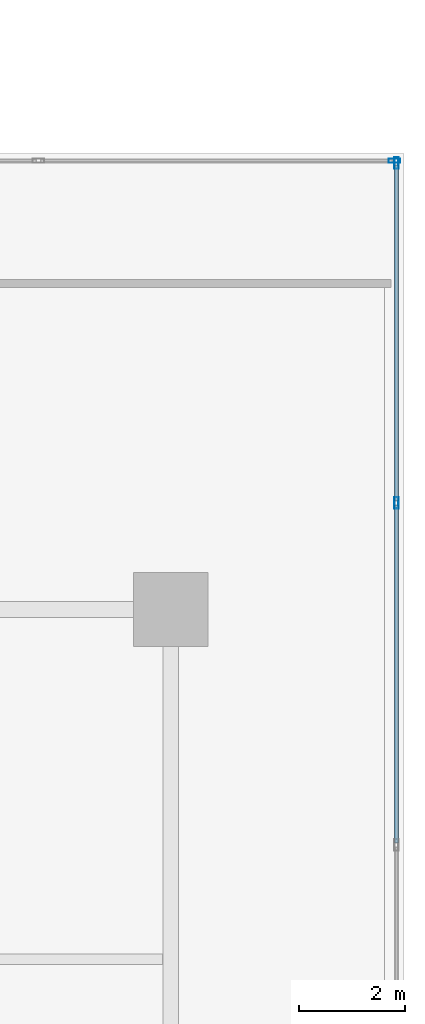
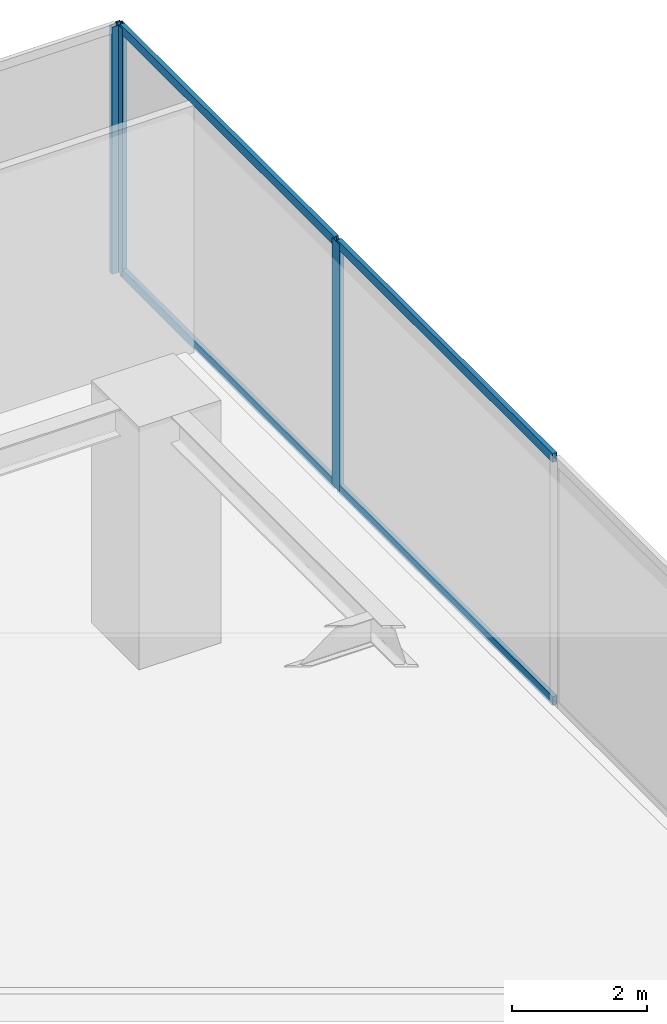
# One storey, part 10 of 17: 7 members, 2 elements without a shape of their own.
"""IFC4 building model written with IfcOpenShell, lengths in metres."""

from ifc_helpers import new_model, si_unit, direction, frame, origin, origin_with_axes, origin_2d, place, context, subcontext, project, spatial, hollow_rectangle, extrude, source, transform, mapped, material, layer, layer_set, material_profile, profile_set, type_object, element, aggregate, save


model = new_model("IFC4")

# Units and contexts
model_context = context("Model", 3, precision=1e-05, world=origin(), true_north=direction((0.0, 1.0)))
body_context = subcontext(model_context, "Body", "Model", "MODEL_VIEW")
ifc_project = project(units=[si_unit("LENGTHUNIT", "METRE"), si_unit("AREAUNIT", "SQUARE_METRE"), si_unit("VOLUMEUNIT", "CUBIC_METRE"), si_unit("PLANEANGLEUNIT", "RADIAN"), si_unit("MASSUNIT", "GRAM", prefix="KILO")], contexts=[model_context])

# Site, building, storey
site_placement = place(None, origin())
site = spatial("IfcSite", under=ifc_project, at=site_placement, CompositionType="ELEMENT")
building_placement = place(site_placement, origin())
building = spatial("IfcBuilding", under=site, at=building_placement, Name="Kolvaren Waterfront Exchange", CompositionType="ELEMENT")
storey_placement = place(building_placement, frame((0.0, 0.0, 5.60009765625)))
storey = spatial("IfcBuildingStorey", under=building, at=storey_placement, Name="L02", CompositionType="ELEMENT", Elevation=5.60009765625)

# Curtain wall, members
ifc_material_1 = material(Name="Anodised bronze aluminium 6063-T6", Category="aluminium")
ifc_layer = layer(ifc_material_1, 0.219970703125, Name="Anodised bronze aluminium 6063-T6")
ifc_layer_set = layer_set([ifc_layer], Name="Anodised bronze aluminium 6063-T6")
curtain_wall_type = type_object("IfcCurtainWallType", Name="ARC-CW-SYS4", PredefinedType="USERDEFINED", material=ifc_layer_set)
curtain_wall_1_placement = place(storey_placement, origin())
curtain_wall_1 = element("IfcCurtainWall", 1, at=curtain_wall_1_placement, inside=storey, type_object=curtain_wall_type, Name="L02 stick curtain wall CW4 (CW-L02-E1)", ObjectType="STICK CURTAIN WALL", PredefinedType="USERDEFINED")
ifc_material_2 = material(Name="Anodised aluminium 6063-T6", Category="aluminium")
ifc_material_profile_1 = material_profile(ifc_material_2, hollow_rectangle(XDim=0.080078125, YDim=0.219970703125, WallThickness=0.0048828125, at=origin_2d()), Name="ALU-MUL-220x80x5")
ifc_profile_set_1 = profile_set([ifc_material_profile_1], Name="Anodised aluminium 6063-T6")
member_type_1 = type_object("IfcMemberType", Name="ARC-CWM-220", PredefinedType="MULLION", material=ifc_profile_set_1)
shared_shape_1 = source(origin_with_axes(), body_context, "Body", "SweptSolid", [
    extrude(hollow_rectangle(XDim=0.080078125, YDim=0.219970703125, WallThickness=0.0048828125, at=origin_2d()), origin(), (0.0, 0.0, 1.0), 4.4599609375),
])
member_1_placement = place(storey_placement, frame((64.659912109375, 32.6083984375, 0.0), z_axis=(0.0, 0.0, 1.0), x_axis=(-1.0, 0.0, 0.0)))
member_1 = element("IfcMember", 2, at=member_1_placement, type_object=member_type_1, Name="CW4 mullion 6", PredefinedType="MULLION", context=body_context, shape_type="MappedRepresentation", body=[
    mapped(shared_shape_1, transform((0.0, 0.0, 0.0), x_axis=(1.0, 0.0, 0.0), y_axis=(0.0, 1.0, 0.0), z_axis=(0.0, 0.0, 1.0), scale=1.0)),
])
member_2_placement = place(storey_placement, frame((64.659912109375, 39.02001953125, 0.0), z_axis=(0.0, 0.0, 1.0), x_axis=(-1.0, 0.0, 0.0)))
member_2 = element("IfcMember", 3, at=member_2_placement, type_object=member_type_1, Name="CW4 mullion 7", PredefinedType="MULLION", context=body_context, shape_type="MappedRepresentation", body=[
    mapped(shared_shape_1, transform((0.0, 0.0, 0.0), x_axis=(1.0, 0.0, 0.0), y_axis=(0.0, 1.0, 0.0), z_axis=(0.0, 0.0, 1.0), scale=1.0)),
])

# Curtain wall, member
curtain_wall_2_placement = place(storey_placement, origin())
curtain_wall_2 = element("IfcCurtainWall", 4, at=curtain_wall_2_placement, inside=storey, type_object=curtain_wall_type, Name="L02 stick curtain wall CW4 (CW-L02-E2)", ObjectType="STICK CURTAIN WALL", PredefinedType="USERDEFINED")
member_3_placement = place(storey_placement, frame((64.6201171875, 39.06005859375, 0.0), z_axis=(0.0, 0.0, 1.0), x_axis=(0.0, -1.0, 0.0)))
member_3 = element("IfcMember", 5, at=member_3_placement, type_object=member_type_1, Name="CW4 mullion 1", PredefinedType="MULLION", context=body_context, shape_type="MappedRepresentation", body=[
    mapped(shared_shape_1, transform((0.0, 0.0, 0.0), x_axis=(1.0, 0.0, 0.0), y_axis=(0.0, 1.0, 0.0), z_axis=(0.0, 0.0, 1.0), scale=1.0)),
])
aggregate(curtain_wall_2, [member_3])

# Member
ifc_material_profile_2 = material_profile(ifc_material_2, hollow_rectangle(XDim=0.074951171875, YDim=0.159912109375, WallThickness=0.00439453125, at=origin_2d()), Name="ALU-TRN-160x75x4.5")
ifc_profile_set_2 = profile_set([ifc_material_profile_2], Name="Anodised aluminium 6063-T6")
member_type_2 = type_object("IfcMemberType", Name="ARC-CWT-160", PredefinedType="USERDEFINED", material=ifc_profile_set_2)
shared_shape_2 = source(origin_with_axes(), body_context, "Body", "SweptSolid", [
    extrude(hollow_rectangle(XDim=0.074951171875, YDim=0.159912109375, WallThickness=0.00439453125, at=origin_2d()), origin(), (0.0, 0.0, 1.0), 6.37158203125),
])
member_4_placement = place(storey_placement, frame((64.659912109375, 26.19677734375, 0.037353515625), z_axis=(0.0, 1.0, 0.0), x_axis=(-1.0, 0.0, 0.0)))
member_4 = element("IfcMember", 6, at=member_4_placement, type_object=member_type_2, Name="CW4 transom 5.1", ObjectType="TRANSOM", PredefinedType="USERDEFINED", context=body_context, shape_type="MappedRepresentation", body=[
    mapped(shared_shape_2, transform((0.0, 0.0, 0.0), x_axis=(1.0, 0.0, 0.0), y_axis=(0.0, 1.0, 0.0), z_axis=(0.0, 0.0, 1.0), scale=1.0)),
])

member_5_placement = place(storey_placement, frame((64.659912109375, 26.19677734375, 4.42236328125), z_axis=(0.0, 1.0, 0.0), x_axis=(-1.0, 0.0, 0.0)))
member_5 = element("IfcMember", 7, at=member_5_placement, type_object=member_type_2, Name="CW4 transom 5.2", ObjectType="TRANSOM", PredefinedType="USERDEFINED", context=body_context, shape_type="MappedRepresentation", body=[
    mapped(shared_shape_2, transform((0.0, 0.0, 0.0), x_axis=(1.0, 0.0, 0.0), y_axis=(0.0, 1.0, 0.0), z_axis=(0.0, 0.0, 1.0), scale=1.0)),
])

shared_shape_3 = source(origin_with_axes(), body_context, "Body", "SweptSolid", [
    extrude(hollow_rectangle(XDim=0.074951171875, YDim=0.159912109375, WallThickness=0.00439453125, at=origin_2d()), origin(), (0.0, 0.0, 1.0), 6.33154296875),
])
member_6_placement = place(storey_placement, frame((64.659912109375, 32.6484375, 0.037353515625), z_axis=(0.0, 1.0, 0.0), x_axis=(-1.0, 0.0, 0.0)))
member_6 = element("IfcMember", 8, at=member_6_placement, type_object=member_type_2, Name="CW4 transom 6.1", ObjectType="TRANSOM", PredefinedType="USERDEFINED", context=body_context, shape_type="MappedRepresentation", body=[
    mapped(shared_shape_3, transform((0.0, 0.0, 0.0), x_axis=(1.0, 0.0, 0.0), y_axis=(0.0, 1.0, 0.0), z_axis=(0.0, 0.0, 1.0), scale=1.0)),
])

member_7_placement = place(storey_placement, frame((64.659912109375, 32.6484375, 4.42236328125), z_axis=(0.0, 1.0, 0.0), x_axis=(-1.0, 0.0, 0.0)))
member_7 = element("IfcMember", 9, at=member_7_placement, type_object=member_type_2, Name="CW4 transom 6.2", ObjectType="TRANSOM", PredefinedType="USERDEFINED", context=body_context, shape_type="MappedRepresentation", body=[
    mapped(shared_shape_3, transform((0.0, 0.0, 0.0), x_axis=(1.0, 0.0, 0.0), y_axis=(0.0, 1.0, 0.0), z_axis=(0.0, 0.0, 1.0), scale=1.0)),
])

aggregate(curtain_wall_1, [member_1, member_2, member_4, member_5, member_6, member_7])

save(model, "model.ifc")
